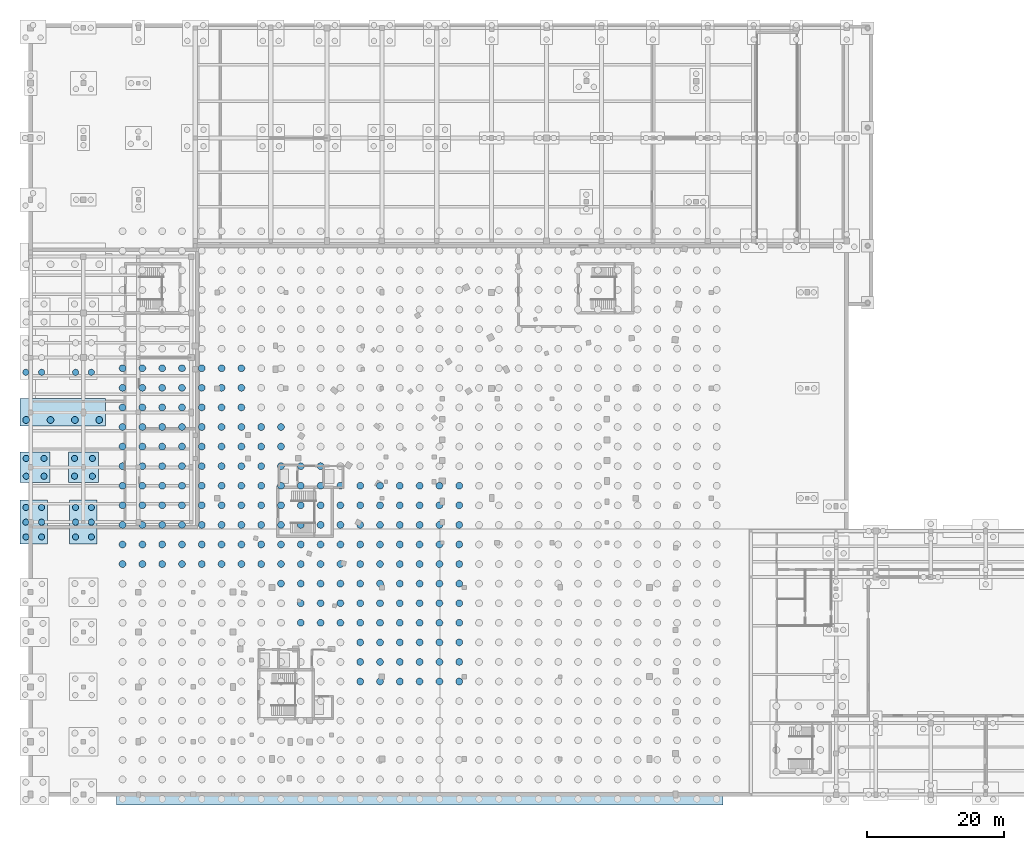
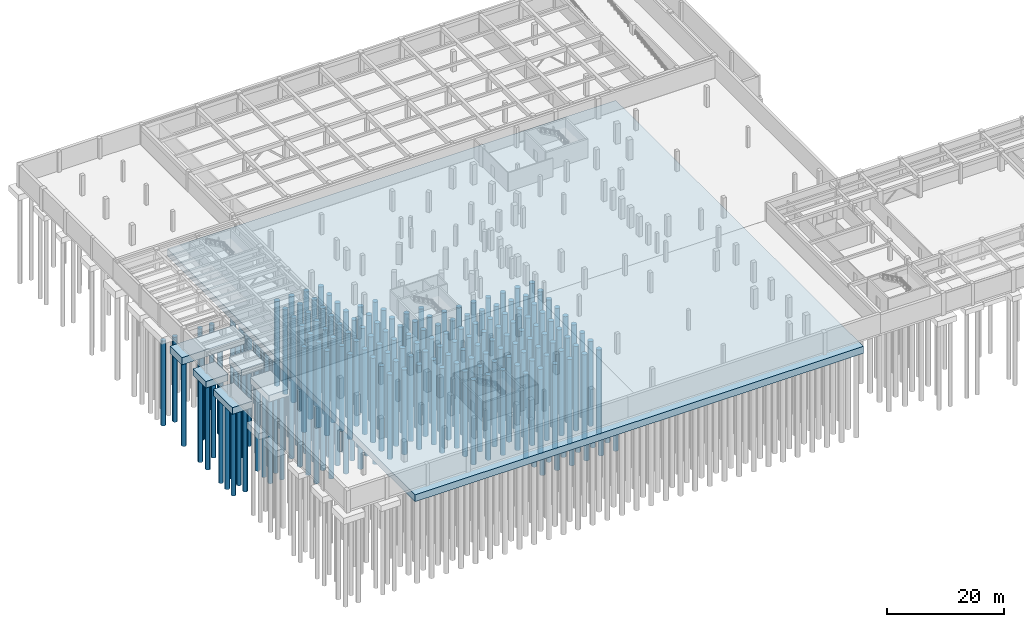
# One storey, part 2 of 36: 214 piles, 6 footings.
"""IFC4 building model written with IfcOpenShell, lengths in metres."""

from ifc_helpers import new_model, si_unit, direction, frame, origin, origin_2d, place, context, subcontext, project, spatial, rectangle, circle, extrude, material, material_profile, profile_set, type_object, element, save


model = new_model("IFC4")

# Units and contexts
model_context = context("Model", 3, precision=1e-05, world=origin(), true_north=direction((0.0, 1.0)))
body_context = subcontext(model_context, "Body", "Model", "MODEL_VIEW")
ifc_project = project(units=[si_unit("LENGTHUNIT", "METRE"), si_unit("AREAUNIT", "SQUARE_METRE"), si_unit("VOLUMEUNIT", "CUBIC_METRE"), si_unit("PLANEANGLEUNIT", "RADIAN"), si_unit("MASSUNIT", "GRAM", prefix="KILO"), si_unit("THERMODYNAMICTEMPERATUREUNIT", "KELVIN"), si_unit("POWERUNIT", "WATT")], contexts=[model_context])

# Site, building, storey
site_placement = place(None, origin())
site = spatial("IfcSite", under=ifc_project, at=site_placement, CompositionType="ELEMENT")
building_placement = place(site_placement, origin())
building = spatial("IfcBuilding", under=site, at=building_placement, Name="Solvatero Civic Police Headquarters", CompositionType="ELEMENT")
storey_placement = place(building_placement, frame((0.0, 0.0, -8.39990234375)))
storey = spatial("IfcBuildingStorey", under=building, at=storey_placement, Name="B02", CompositionType="ELEMENT", Elevation=-8.39990234375)

# Footings
ifc_material_1 = material(Name="Concrete C35/45", Category="concrete")
footing_type_1 = type_object("IfcFootingType", Name="PC-4P-440x440x135", PredefinedType="PILE_CAP", material=ifc_material_1)
for number, where, z_axis, x_axis, name in (
    (1, (5.449951171875, 52.5, -1.7900390625), (0.0, 0.0, 1.0), (1.0, 0.0, 0.0), "Pile Cap FTG-R2-V6-X1Y2"),
    (2, (12.5, 52.5, -1.7900390625), (0.0, 0.0, 1.0), (1.0, 0.0, 0.0), "Pile Cap FTG-R2-V6-X2Y2"),
):
    element("IfcFooting", number, at=place(storey_placement, frame(where, z_axis=z_axis, x_axis=x_axis)), inside=storey, type_object=footing_type_1, Name=name, PredefinedType="PILE_CAP", context=body_context, shape_type="SweptSolid", body=[
        extrude(rectangle(XDim=4.39990234375, YDim=4.39990234375, at=origin_2d()), origin(), (0.0, 0.0, 1.0), 1.35009765625),
    ])
footing_type_2 = type_object("IfcFootingType", Name="PC-6P-400x640x140", PredefinedType="PILE_CAP", material=ifc_material_1)
for number, where, z_axis, x_axis, name in (
    (3, (5.25, 44.5, -1.840087890625), (0.0, 0.0, 1.0), (1.0, 0.0, 0.0), "Pile Cap FTG-R2-V6-X1Y1"),
    (4, (12.5, 44.5, -1.840087890625), (0.0, 0.0, 1.0), (1.0, 0.0, 0.0), "Pile Cap FTG-R2-V6-X2Y1"),
):
    element("IfcFooting", number, at=place(storey_placement, frame(where, z_axis=z_axis, x_axis=x_axis)), inside=storey, type_object=footing_type_2, Name=name, PredefinedType="PILE_CAP", context=body_context, shape_type="SweptSolid", body=[
        extrude(rectangle(XDim=4.0, YDim=6.39990234375, at=origin_2d()), origin(), (0.0, 0.0, 1.0), 1.39990234375),
    ])
footing_type_3 = type_object("IfcFootingType", Name="PC-COMB-01", PredefinedType="PILE_CAP", material=ifc_material_1)
footing_1_placement = place(storey_placement, frame((61.5, 45.5322265625, -1.89013671875), z_axis=(0.0, 0.0, 1.0), x_axis=(1.0, 0.0, 0.0)))
element("IfcFooting", 5, at=footing_1_placement, inside=storey, type_object=footing_type_3, Name="Combined Pile Cap FTG-R2-CMB-ARC-S00-IN", PredefinedType="PILE_CAP", context=body_context, shape_type="SweptSolid", body=[
    extrude(rectangle(XDim=88.39990234375, YDim=84.56005859375, at=origin_2d()), origin(), (0.0, 0.0, 1.0), 1.449951171875),
])
footing_type_4 = type_object("IfcFootingType", Name="PC-COMB-04", PredefinedType="PILE_CAP", material=ifc_material_1)
footing_2_placement = place(storey_placement, frame((9.47509765625, 60.5, -1.9501953125), z_axis=(0.0, 0.0, 1.0), x_axis=(1.0, 0.0, 0.0)))
element("IfcFooting", 6, at=footing_2_placement, inside=storey, type_object=footing_type_4, Name="Combined Pile Cap FTG-R2-CMB-V6-X1Y3", PredefinedType="PILE_CAP", context=body_context, shape_type="SweptSolid", body=[
    extrude(rectangle(XDim=12.449951171875, YDim=4.0, at=origin_2d()), origin(), (0.0, 0.0, 1.0), 1.510009765625),
])

# Piles
ifc_material_2 = material(Name="Concrete C32/40", Category="concrete")
ifc_material_profile_1 = material_profile(ifc_material_2, circle(Radius=0.5, at=origin_2d()), Name="CFA PILE D1000")
ifc_profile_set_1 = profile_set([ifc_material_profile_1], Name="Concrete C32/40")
pile_type_1 = type_object("IfcPileType", Name="PL-CFA-1000", PredefinedType="BORED", material=ifc_profile_set_1)
for number, where, z_axis, x_axis, name in (
    (7, (18.199951171875, 38.397705078125, -1.7900390625), (0.0, 0.0, -1.0), (1.0, 0.0, 0.0), "Bored Pile ARC-S00-IN-13"),
    (8, (18.199951171875, 41.25146484375, -1.7900390625), (0.0, 0.0, -1.0), (1.0, 0.0, 0.0), "Bored Pile ARC-S00-IN-14"),
    (9, (18.199951171875, 44.105224609375, -1.7900390625), (0.0, 0.0, -1.0), (1.0, 0.0, 0.0), "Bored Pile ARC-S00-IN-15"),
    (10, (18.199951171875, 46.958984375, -1.7900390625), (0.0, 0.0, -1.0), (1.0, 0.0, 0.0), "Bored Pile ARC-S00-IN-16"),
    (11, (18.199951171875, 49.81298828125, -1.7900390625), (0.0, 0.0, -1.0), (1.0, 0.0, 0.0), "Bored Pile ARC-S00-IN-17"),
    (12, (18.199951171875, 52.666748046875, -1.7900390625), (0.0, 0.0, -1.0), (1.0, 0.0, 0.0), "Bored Pile ARC-S00-IN-18"),
    (13, (18.199951171875, 55.5205078125, -1.7900390625), (0.0, 0.0, -1.0), (1.0, 0.0, 0.0), "Bored Pile ARC-S00-IN-19"),
    (14, (18.199951171875, 58.374267578125, -1.7900390625), (0.0, 0.0, -1.0), (1.0, 0.0, 0.0), "Bored Pile ARC-S00-IN-20"),
    (15, (18.199951171875, 61.22802734375, -1.7900390625), (0.0, 0.0, -1.0), (1.0, 0.0, 0.0), "Bored Pile ARC-S00-IN-21"),
    (16, (18.199951171875, 64.081787109375, -1.7900390625), (0.0, 0.0, -1.0), (1.0, 0.0, 0.0), "Bored Pile ARC-S00-IN-22"),
    (17, (18.199951171875, 66.935546875, -1.7900390625), (0.0, 0.0, -1.0), (1.0, 0.0, 0.0), "Bored Pile ARC-S00-IN-23"),
    (18, (21.086669921875, 38.397705078125, -1.7900390625), (0.0, 0.0, -1.0), (1.0, 0.0, 0.0), "Bored Pile ARC-S00-IN-43"),
    (19, (21.086669921875, 41.25146484375, -1.7900390625), (0.0, 0.0, -1.0), (1.0, 0.0, 0.0), "Bored Pile ARC-S00-IN-44"),
    (20, (21.086669921875, 44.105224609375, -1.7900390625), (0.0, 0.0, -1.0), (1.0, 0.0, 0.0), "Bored Pile ARC-S00-IN-45"),
    (21, (21.086669921875, 46.958984375, -1.7900390625), (0.0, 0.0, -1.0), (1.0, 0.0, 0.0), "Bored Pile ARC-S00-IN-46"),
    (22, (21.086669921875, 49.81298828125, -1.7900390625), (0.0, 0.0, -1.0), (1.0, 0.0, 0.0), "Bored Pile ARC-S00-IN-47"),
    (23, (21.086669921875, 52.666748046875, -1.7900390625), (0.0, 0.0, -1.0), (1.0, 0.0, 0.0), "Bored Pile ARC-S00-IN-48"),
    (24, (21.086669921875, 55.5205078125, -1.7900390625), (0.0, 0.0, -1.0), (1.0, 0.0, 0.0), "Bored Pile ARC-S00-IN-49"),
    (25, (21.086669921875, 58.374267578125, -1.7900390625), (0.0, 0.0, -1.0), (1.0, 0.0, 0.0), "Bored Pile ARC-S00-IN-50"),
    (26, (21.086669921875, 61.22802734375, -1.7900390625), (0.0, 0.0, -1.0), (1.0, 0.0, 0.0), "Bored Pile ARC-S00-IN-51"),
    (27, (21.086669921875, 64.081787109375, -1.7900390625), (0.0, 0.0, -1.0), (1.0, 0.0, 0.0), "Bored Pile ARC-S00-IN-52"),
    (28, (21.086669921875, 66.935546875, -1.7900390625), (0.0, 0.0, -1.0), (1.0, 0.0, 0.0), "Bored Pile ARC-S00-IN-53"),
    (29, (23.973388671875, 38.397705078125, -1.7900390625), (0.0, 0.0, -1.0), (1.0, 0.0, 0.0), "Bored Pile ARC-S00-IN-73"),
    (30, (23.973388671875, 41.25146484375, -1.7900390625), (0.0, 0.0, -1.0), (1.0, 0.0, 0.0), "Bored Pile ARC-S00-IN-74"),
    (31, (23.973388671875, 44.105224609375, -1.7900390625), (0.0, 0.0, -1.0), (1.0, 0.0, 0.0), "Bored Pile ARC-S00-IN-75"),
    (32, (23.973388671875, 46.958984375, -1.7900390625), (0.0, 0.0, -1.0), (1.0, 0.0, 0.0), "Bored Pile ARC-S00-IN-76"),
    (33, (23.973388671875, 49.81298828125, -1.7900390625), (0.0, 0.0, -1.0), (1.0, 0.0, 0.0), "Bored Pile ARC-S00-IN-77"),
    (34, (23.973388671875, 52.666748046875, -1.7900390625), (0.0, 0.0, -1.0), (1.0, 0.0, 0.0), "Bored Pile ARC-S00-IN-78"),
    (35, (23.973388671875, 55.5205078125, -1.7900390625), (0.0, 0.0, -1.0), (1.0, 0.0, 0.0), "Bored Pile ARC-S00-IN-79"),
    (36, (23.973388671875, 58.374267578125, -1.7900390625), (0.0, 0.0, -1.0), (1.0, 0.0, 0.0), "Bored Pile ARC-S00-IN-80"),
    (37, (23.973388671875, 61.22802734375, -1.7900390625), (0.0, 0.0, -1.0), (1.0, 0.0, 0.0), "Bored Pile ARC-S00-IN-81"),
    (38, (23.973388671875, 64.081787109375, -1.7900390625), (0.0, 0.0, -1.0), (1.0, 0.0, 0.0), "Bored Pile ARC-S00-IN-82"),
    (39, (23.973388671875, 66.935546875, -1.7900390625), (0.0, 0.0, -1.0), (1.0, 0.0, 0.0), "Bored Pile ARC-S00-IN-83"),
    (40, (26.860107421875, 38.397705078125, -1.7900390625), (0.0, 0.0, -1.0), (1.0, 0.0, 0.0), "Bored Pile ARC-S00-IN-103"),
    (41, (26.860107421875, 41.25146484375, -1.7900390625), (0.0, 0.0, -1.0), (1.0, 0.0, 0.0), "Bored Pile ARC-S00-IN-104"),
    (42, (26.860107421875, 44.105224609375, -1.7900390625), (0.0, 0.0, -1.0), (1.0, 0.0, 0.0), "Bored Pile ARC-S00-IN-105"),
    (43, (26.860107421875, 46.958984375, -1.7900390625), (0.0, 0.0, -1.0), (1.0, 0.0, 0.0), "Bored Pile ARC-S00-IN-106"),
    (44, (26.860107421875, 49.81298828125, -1.7900390625), (0.0, 0.0, -1.0), (1.0, 0.0, 0.0), "Bored Pile ARC-S00-IN-107"),
    (45, (26.860107421875, 52.666748046875, -1.7900390625), (0.0, 0.0, -1.0), (1.0, 0.0, 0.0), "Bored Pile ARC-S00-IN-108"),
    (46, (26.860107421875, 55.5205078125, -1.7900390625), (0.0, 0.0, -1.0), (1.0, 0.0, 0.0), "Bored Pile ARC-S00-IN-109"),
    (47, (26.860107421875, 58.374267578125, -1.7900390625), (0.0, 0.0, -1.0), (1.0, 0.0, 0.0), "Bored Pile ARC-S00-IN-110"),
    (48, (26.860107421875, 61.22802734375, -1.7900390625), (0.0, 0.0, -1.0), (1.0, 0.0, 0.0), "Bored Pile ARC-S00-IN-111"),
    (49, (26.860107421875, 64.081787109375, -1.7900390625), (0.0, 0.0, -1.0), (1.0, 0.0, 0.0), "Bored Pile ARC-S00-IN-112"),
    (50, (26.860107421875, 66.935546875, -1.7900390625), (0.0, 0.0, -1.0), (1.0, 0.0, 0.0), "Bored Pile ARC-S00-IN-113"),
    (51, (29.74658203125, 38.397705078125, -1.7900390625), (0.0, 0.0, -1.0), (1.0, 0.0, 0.0), "Bored Pile ARC-S00-IN-133"),
    (52, (29.74658203125, 41.25146484375, -1.7900390625), (0.0, 0.0, -1.0), (1.0, 0.0, 0.0), "Bored Pile ARC-S00-IN-134"),
    (53, (29.74658203125, 44.105224609375, -1.7900390625), (0.0, 0.0, -1.0), (1.0, 0.0, 0.0), "Bored Pile ARC-S00-IN-135"),
    (54, (29.74658203125, 46.958984375, -1.7900390625), (0.0, 0.0, -1.0), (1.0, 0.0, 0.0), "Bored Pile ARC-S00-IN-136"),
    (55, (29.74658203125, 49.81298828125, -1.7900390625), (0.0, 0.0, -1.0), (1.0, 0.0, 0.0), "Bored Pile ARC-S00-IN-137"),
    (56, (29.74658203125, 52.666748046875, -1.7900390625), (0.0, 0.0, -1.0), (1.0, 0.0, 0.0), "Bored Pile ARC-S00-IN-138"),
    (57, (29.74658203125, 55.5205078125, -1.7900390625), (0.0, 0.0, -1.0), (1.0, 0.0, 0.0), "Bored Pile ARC-S00-IN-139"),
    (58, (29.74658203125, 58.374267578125, -1.7900390625), (0.0, 0.0, -1.0), (1.0, 0.0, 0.0), "Bored Pile ARC-S00-IN-140"),
    (59, (29.74658203125, 61.22802734375, -1.7900390625), (0.0, 0.0, -1.0), (1.0, 0.0, 0.0), "Bored Pile ARC-S00-IN-141"),
    (60, (29.74658203125, 64.081787109375, -1.7900390625), (0.0, 0.0, -1.0), (1.0, 0.0, 0.0), "Bored Pile ARC-S00-IN-142"),
    (61, (29.74658203125, 66.935546875, -1.7900390625), (0.0, 0.0, -1.0), (1.0, 0.0, 0.0), "Bored Pile ARC-S00-IN-143"),
    (62, (32.63330078125, 38.397705078125, -1.7900390625), (0.0, 0.0, -1.0), (1.0, 0.0, 0.0), "Bored Pile ARC-S00-IN-163"),
    (63, (32.63330078125, 41.25146484375, -1.7900390625), (0.0, 0.0, -1.0), (1.0, 0.0, 0.0), "Bored Pile ARC-S00-IN-164"),
    (64, (32.63330078125, 44.105224609375, -1.7900390625), (0.0, 0.0, -1.0), (1.0, 0.0, 0.0), "Bored Pile ARC-S00-IN-165"),
    (65, (32.63330078125, 46.958984375, -1.7900390625), (0.0, 0.0, -1.0), (1.0, 0.0, 0.0), "Bored Pile ARC-S00-IN-166"),
    (66, (32.63330078125, 49.81298828125, -1.7900390625), (0.0, 0.0, -1.0), (1.0, 0.0, 0.0), "Bored Pile ARC-S00-IN-167"),
    (67, (32.63330078125, 52.666748046875, -1.7900390625), (0.0, 0.0, -1.0), (1.0, 0.0, 0.0), "Bored Pile ARC-S00-IN-168"),
    (68, (32.63330078125, 55.5205078125, -1.7900390625), (0.0, 0.0, -1.0), (1.0, 0.0, 0.0), "Bored Pile ARC-S00-IN-169"),
    (69, (32.63330078125, 58.374267578125, -1.7900390625), (0.0, 0.0, -1.0), (1.0, 0.0, 0.0), "Bored Pile ARC-S00-IN-170"),
    (70, (32.63330078125, 61.22802734375, -1.7900390625), (0.0, 0.0, -1.0), (1.0, 0.0, 0.0), "Bored Pile ARC-S00-IN-171"),
    (71, (32.63330078125, 64.081787109375, -1.7900390625), (0.0, 0.0, -1.0), (1.0, 0.0, 0.0), "Bored Pile ARC-S00-IN-172"),
    (72, (32.63330078125, 66.935546875, -1.7900390625), (0.0, 0.0, -1.0), (1.0, 0.0, 0.0), "Bored Pile ARC-S00-IN-173"),
    (73, (35.52001953125, 38.397705078125, -1.7900390625), (0.0, 0.0, -1.0), (1.0, 0.0, 0.0), "Bored Pile ARC-S00-IN-193"),
    (74, (35.52001953125, 41.25146484375, -1.7900390625), (0.0, 0.0, -1.0), (1.0, 0.0, 0.0), "Bored Pile ARC-S00-IN-194"),
    (75, (35.52001953125, 44.105224609375, -1.7900390625), (0.0, 0.0, -1.0), (1.0, 0.0, 0.0), "Bored Pile ARC-S00-IN-195"),
    (76, (35.52001953125, 46.958984375, -1.7900390625), (0.0, 0.0, -1.0), (1.0, 0.0, 0.0), "Bored Pile ARC-S00-IN-196"),
    (77, (35.52001953125, 49.81298828125, -1.7900390625), (0.0, 0.0, -1.0), (1.0, 0.0, 0.0), "Bored Pile ARC-S00-IN-197"),
    (78, (35.52001953125, 52.666748046875, -1.7900390625), (0.0, 0.0, -1.0), (1.0, 0.0, 0.0), "Bored Pile ARC-S00-IN-198"),
    (79, (35.52001953125, 55.5205078125, -1.7900390625), (0.0, 0.0, -1.0), (1.0, 0.0, 0.0), "Bored Pile ARC-S00-IN-199"),
    (80, (35.52001953125, 58.374267578125, -1.7900390625), (0.0, 0.0, -1.0), (1.0, 0.0, 0.0), "Bored Pile ARC-S00-IN-200"),
    (81, (35.52001953125, 61.22802734375, -1.7900390625), (0.0, 0.0, -1.0), (1.0, 0.0, 0.0), "Bored Pile ARC-S00-IN-201"),
    (82, (35.52001953125, 64.081787109375, -1.7900390625), (0.0, 0.0, -1.0), (1.0, 0.0, 0.0), "Bored Pile ARC-S00-IN-202"),
    (83, (35.52001953125, 66.935546875, -1.7900390625), (0.0, 0.0, -1.0), (1.0, 0.0, 0.0), "Bored Pile ARC-S00-IN-203"),
    (84, (38.40673828125, 38.397705078125, -1.7900390625), (0.0, 0.0, -1.0), (1.0, 0.0, 0.0), "Bored Pile ARC-S00-IN-223"),
    (85, (38.40673828125, 41.25146484375, -1.7900390625), (0.0, 0.0, -1.0), (1.0, 0.0, 0.0), "Bored Pile ARC-S00-IN-224"),
    (86, (38.40673828125, 44.105224609375, -1.7900390625), (0.0, 0.0, -1.0), (1.0, 0.0, 0.0), "Bored Pile ARC-S00-IN-225"),
    (87, (38.40673828125, 46.958984375, -1.7900390625), (0.0, 0.0, -1.0), (1.0, 0.0, 0.0), "Bored Pile ARC-S00-IN-226"),
    (88, (38.40673828125, 49.81298828125, -1.7900390625), (0.0, 0.0, -1.0), (1.0, 0.0, 0.0), "Bored Pile ARC-S00-IN-227"),
    (89, (38.40673828125, 52.666748046875, -1.7900390625), (0.0, 0.0, -1.0), (1.0, 0.0, 0.0), "Bored Pile ARC-S00-IN-228"),
    (90, (38.40673828125, 55.5205078125, -1.7900390625), (0.0, 0.0, -1.0), (1.0, 0.0, 0.0), "Bored Pile ARC-S00-IN-229"),
    (91, (38.40673828125, 58.374267578125, -1.7900390625), (0.0, 0.0, -1.0), (1.0, 0.0, 0.0), "Bored Pile ARC-S00-IN-230"),
    (92, (41.293212890625, 35.5439453125, -1.7900390625), (0.0, 0.0, -1.0), (1.0, 0.0, 0.0), "Bored Pile ARC-S00-IN-252"),
    (93, (41.293212890625, 38.397705078125, -1.7900390625), (0.0, 0.0, -1.0), (1.0, 0.0, 0.0), "Bored Pile ARC-S00-IN-253"),
    (94, (41.293212890625, 41.25146484375, -1.7900390625), (0.0, 0.0, -1.0), (1.0, 0.0, 0.0), "Bored Pile ARC-S00-IN-254"),
    (95, (41.293212890625, 44.105224609375, -1.7900390625), (0.0, 0.0, -1.0), (1.0, 0.0, 0.0), "Bored Pile ARC-S00-IN-255"),
    (96, (41.293212890625, 46.958984375, -1.7900390625), (0.0, 0.0, -1.0), (1.0, 0.0, 0.0), "Bored Pile ARC-S00-IN-256"),
    (97, (41.293212890625, 49.81298828125, -1.7900390625), (0.0, 0.0, -1.0), (1.0, 0.0, 0.0), "Bored Pile ARC-S00-IN-257"),
    (98, (41.293212890625, 52.666748046875, -1.7900390625), (0.0, 0.0, -1.0), (1.0, 0.0, 0.0), "Bored Pile ARC-S00-IN-258"),
    (99, (41.293212890625, 55.5205078125, -1.7900390625), (0.0, 0.0, -1.0), (1.0, 0.0, 0.0), "Bored Pile ARC-S00-IN-259"),
    (100, (41.293212890625, 58.374267578125, -1.7900390625), (0.0, 0.0, -1.0), (1.0, 0.0, 0.0), "Bored Pile ARC-S00-IN-260"),
    (101, (44.179931640625, 29.836181640625, -1.7900390625), (0.0, 0.0, -1.0), (1.0, 0.0, 0.0), "Bored Pile ARC-S00-IN-280"),
    (102, (44.179931640625, 32.690185546875, -1.7900390625), (0.0, 0.0, -1.0), (1.0, 0.0, 0.0), "Bored Pile ARC-S00-IN-281"),
    (103, (44.179931640625, 35.5439453125, -1.7900390625), (0.0, 0.0, -1.0), (1.0, 0.0, 0.0), "Bored Pile ARC-S00-IN-282"),
    (104, (44.179931640625, 38.397705078125, -1.7900390625), (0.0, 0.0, -1.0), (1.0, 0.0, 0.0), "Bored Pile ARC-S00-IN-283"),
    (105, (44.179931640625, 41.25146484375, -1.7900390625), (0.0, 0.0, -1.0), (1.0, 0.0, 0.0), "Bored Pile ARC-S00-IN-284"),
    (106, (44.179931640625, 44.105224609375, -1.7900390625), (0.0, 0.0, -1.0), (1.0, 0.0, 0.0), "Bored Pile ARC-S00-IN-285"),
    (107, (44.179931640625, 46.958984375, -1.7900390625), (0.0, 0.0, -1.0), (1.0, 0.0, 0.0), "Bored Pile ARC-S00-IN-286"),
    (108, (44.179931640625, 49.81298828125, -1.7900390625), (0.0, 0.0, -1.0), (1.0, 0.0, 0.0), "Bored Pile ARC-S00-IN-287"),
    (109, (44.179931640625, 52.666748046875, -1.7900390625), (0.0, 0.0, -1.0), (1.0, 0.0, 0.0), "Bored Pile ARC-S00-IN-288"),
    (110, (47.066650390625, 29.836181640625, -1.7900390625), (0.0, 0.0, -1.0), (1.0, 0.0, 0.0), "Bored Pile ARC-S00-IN-310"),
    (111, (47.066650390625, 32.690185546875, -1.7900390625), (0.0, 0.0, -1.0), (1.0, 0.0, 0.0), "Bored Pile ARC-S00-IN-311"),
    (112, (47.066650390625, 35.5439453125, -1.7900390625), (0.0, 0.0, -1.0), (1.0, 0.0, 0.0), "Bored Pile ARC-S00-IN-312"),
    (113, (47.066650390625, 38.397705078125, -1.7900390625), (0.0, 0.0, -1.0), (1.0, 0.0, 0.0), "Bored Pile ARC-S00-IN-313"),
    (114, (47.066650390625, 41.25146484375, -1.7900390625), (0.0, 0.0, -1.0), (1.0, 0.0, 0.0), "Bored Pile ARC-S00-IN-314"),
    (115, (47.066650390625, 44.105224609375, -1.7900390625), (0.0, 0.0, -1.0), (1.0, 0.0, 0.0), "Bored Pile ARC-S00-IN-315"),
    (116, (47.066650390625, 46.958984375, -1.7900390625), (0.0, 0.0, -1.0), (1.0, 0.0, 0.0), "Bored Pile ARC-S00-IN-316"),
    (117, (47.066650390625, 49.81298828125, -1.7900390625), (0.0, 0.0, -1.0), (1.0, 0.0, 0.0), "Bored Pile ARC-S00-IN-317"),
    (118, (47.066650390625, 52.666748046875, -1.7900390625), (0.0, 0.0, -1.0), (1.0, 0.0, 0.0), "Bored Pile ARC-S00-IN-318"),
    (119, (49.953369140625, 29.836181640625, -1.7900390625), (0.0, 0.0, -1.0), (1.0, 0.0, 0.0), "Bored Pile ARC-S00-IN-340"),
    (120, (49.953369140625, 32.690185546875, -1.7900390625), (0.0, 0.0, -1.0), (1.0, 0.0, 0.0), "Bored Pile ARC-S00-IN-341"),
    (121, (49.953369140625, 35.5439453125, -1.7900390625), (0.0, 0.0, -1.0), (1.0, 0.0, 0.0), "Bored Pile ARC-S00-IN-342"),
    (122, (49.953369140625, 38.397705078125, -1.7900390625), (0.0, 0.0, -1.0), (1.0, 0.0, 0.0), "Bored Pile ARC-S00-IN-343"),
    (123, (49.953369140625, 41.25146484375, -1.7900390625), (0.0, 0.0, -1.0), (1.0, 0.0, 0.0), "Bored Pile ARC-S00-IN-344"),
    (124, (49.953369140625, 44.105224609375, -1.7900390625), (0.0, 0.0, -1.0), (1.0, 0.0, 0.0), "Bored Pile ARC-S00-IN-345"),
    (125, (49.953369140625, 46.958984375, -1.7900390625), (0.0, 0.0, -1.0), (1.0, 0.0, 0.0), "Bored Pile ARC-S00-IN-346"),
    (126, (49.953369140625, 49.81298828125, -1.7900390625), (0.0, 0.0, -1.0), (1.0, 0.0, 0.0), "Bored Pile ARC-S00-IN-347"),
    (127, (52.840087890625, 21.27490234375, -1.7900390625), (0.0, 0.0, -1.0), (1.0, 0.0, 0.0), "Bored Pile ARC-S00-IN-367"),
    (128, (52.840087890625, 24.12890625, -1.7900390625), (0.0, 0.0, -1.0), (1.0, 0.0, 0.0), "Bored Pile ARC-S00-IN-368"),
    (129, (52.840087890625, 26.982421875, -1.7900390625), (0.0, 0.0, -1.0), (1.0, 0.0, 0.0), "Bored Pile ARC-S00-IN-369"),
    (130, (52.840087890625, 29.836181640625, -1.7900390625), (0.0, 0.0, -1.0), (1.0, 0.0, 0.0), "Bored Pile ARC-S00-IN-370"),
    (131, (52.840087890625, 32.690185546875, -1.7900390625), (0.0, 0.0, -1.0), (1.0, 0.0, 0.0), "Bored Pile ARC-S00-IN-371"),
    (132, (52.840087890625, 35.5439453125, -1.7900390625), (0.0, 0.0, -1.0), (1.0, 0.0, 0.0), "Bored Pile ARC-S00-IN-372"),
    (133, (52.840087890625, 38.397705078125, -1.7900390625), (0.0, 0.0, -1.0), (1.0, 0.0, 0.0), "Bored Pile ARC-S00-IN-373"),
    (134, (52.840087890625, 41.25146484375, -1.7900390625), (0.0, 0.0, -1.0), (1.0, 0.0, 0.0), "Bored Pile ARC-S00-IN-374"),
    (135, (52.840087890625, 44.105224609375, -1.7900390625), (0.0, 0.0, -1.0), (1.0, 0.0, 0.0), "Bored Pile ARC-S00-IN-375"),
    (136, (52.840087890625, 46.958984375, -1.7900390625), (0.0, 0.0, -1.0), (1.0, 0.0, 0.0), "Bored Pile ARC-S00-IN-376"),
    (137, (52.840087890625, 49.81298828125, -1.7900390625), (0.0, 0.0, -1.0), (1.0, 0.0, 0.0), "Bored Pile ARC-S00-IN-377"),
    (138, (55.726806640625, 21.27490234375, -1.7900390625), (0.0, 0.0, -1.0), (1.0, 0.0, 0.0), "Bored Pile ARC-S00-IN-397"),
    (139, (55.726806640625, 24.12890625, -1.7900390625), (0.0, 0.0, -1.0), (1.0, 0.0, 0.0), "Bored Pile ARC-S00-IN-398"),
    (140, (55.726806640625, 26.982421875, -1.7900390625), (0.0, 0.0, -1.0), (1.0, 0.0, 0.0), "Bored Pile ARC-S00-IN-399"),
    (141, (55.726806640625, 29.836181640625, -1.7900390625), (0.0, 0.0, -1.0), (1.0, 0.0, 0.0), "Bored Pile ARC-S00-IN-400"),
    (142, (55.726806640625, 32.690185546875, -1.7900390625), (0.0, 0.0, -1.0), (1.0, 0.0, 0.0), "Bored Pile ARC-S00-IN-401"),
    (143, (55.726806640625, 35.5439453125, -1.7900390625), (0.0, 0.0, -1.0), (1.0, 0.0, 0.0), "Bored Pile ARC-S00-IN-402"),
    (144, (55.726806640625, 38.397705078125, -1.7900390625), (0.0, 0.0, -1.0), (1.0, 0.0, 0.0), "Bored Pile ARC-S00-IN-403"),
    (145, (55.726806640625, 41.25146484375, -1.7900390625), (0.0, 0.0, -1.0), (1.0, 0.0, 0.0), "Bored Pile ARC-S00-IN-404"),
    (146, (55.726806640625, 44.105224609375, -1.7900390625), (0.0, 0.0, -1.0), (1.0, 0.0, 0.0), "Bored Pile ARC-S00-IN-405"),
    (147, (55.726806640625, 46.958984375, -1.7900390625), (0.0, 0.0, -1.0), (1.0, 0.0, 0.0), "Bored Pile ARC-S00-IN-406"),
    (148, (55.726806640625, 49.81298828125, -1.7900390625), (0.0, 0.0, -1.0), (1.0, 0.0, 0.0), "Bored Pile ARC-S00-IN-407"),
    (149, (58.61328125, 21.27490234375, -1.7900390625), (0.0, 0.0, -1.0), (1.0, 0.0, 0.0), "Bored Pile ARC-S00-IN-427"),
    (150, (58.61328125, 24.12890625, -1.7900390625), (0.0, 0.0, -1.0), (1.0, 0.0, 0.0), "Bored Pile ARC-S00-IN-428"),
    (151, (58.61328125, 26.982421875, -1.7900390625), (0.0, 0.0, -1.0), (1.0, 0.0, 0.0), "Bored Pile ARC-S00-IN-429"),
    (152, (58.61328125, 29.836181640625, -1.7900390625), (0.0, 0.0, -1.0), (1.0, 0.0, 0.0), "Bored Pile ARC-S00-IN-430"),
    (153, (58.61328125, 32.690185546875, -1.7900390625), (0.0, 0.0, -1.0), (1.0, 0.0, 0.0), "Bored Pile ARC-S00-IN-431"),
    (154, (58.61328125, 35.5439453125, -1.7900390625), (0.0, 0.0, -1.0), (1.0, 0.0, 0.0), "Bored Pile ARC-S00-IN-432"),
    (155, (58.61328125, 38.397705078125, -1.7900390625), (0.0, 0.0, -1.0), (1.0, 0.0, 0.0), "Bored Pile ARC-S00-IN-433"),
    (156, (58.61328125, 41.25146484375, -1.7900390625), (0.0, 0.0, -1.0), (1.0, 0.0, 0.0), "Bored Pile ARC-S00-IN-434"),
    (157, (58.61328125, 44.105224609375, -1.7900390625), (0.0, 0.0, -1.0), (1.0, 0.0, 0.0), "Bored Pile ARC-S00-IN-435"),
    (158, (58.61328125, 46.958984375, -1.7900390625), (0.0, 0.0, -1.0), (1.0, 0.0, 0.0), "Bored Pile ARC-S00-IN-436"),
    (159, (58.61328125, 49.81298828125, -1.7900390625), (0.0, 0.0, -1.0), (1.0, 0.0, 0.0), "Bored Pile ARC-S00-IN-437"),
    (160, (61.5, 21.27490234375, -1.7900390625), (0.0, 0.0, -1.0), (1.0, 0.0, 0.0), "Bored Pile ARC-S00-IN-457"),
    (161, (61.5, 24.12890625, -1.7900390625), (0.0, 0.0, -1.0), (1.0, 0.0, 0.0), "Bored Pile ARC-S00-IN-458"),
    (162, (61.5, 26.982421875, -1.7900390625), (0.0, 0.0, -1.0), (1.0, 0.0, 0.0), "Bored Pile ARC-S00-IN-459"),
    (163, (61.5, 29.836181640625, -1.7900390625), (0.0, 0.0, -1.0), (1.0, 0.0, 0.0), "Bored Pile ARC-S00-IN-460"),
    (164, (61.5, 32.690185546875, -1.7900390625), (0.0, 0.0, -1.0), (1.0, 0.0, 0.0), "Bored Pile ARC-S00-IN-461"),
    (165, (61.5, 35.5439453125, -1.7900390625), (0.0, 0.0, -1.0), (1.0, 0.0, 0.0), "Bored Pile ARC-S00-IN-462"),
    (166, (61.5, 38.397705078125, -1.7900390625), (0.0, 0.0, -1.0), (1.0, 0.0, 0.0), "Bored Pile ARC-S00-IN-463"),
    (167, (61.5, 41.25146484375, -1.7900390625), (0.0, 0.0, -1.0), (1.0, 0.0, 0.0), "Bored Pile ARC-S00-IN-464"),
    (168, (61.5, 44.105224609375, -1.7900390625), (0.0, 0.0, -1.0), (1.0, 0.0, 0.0), "Bored Pile ARC-S00-IN-465"),
    (169, (61.5, 46.958984375, -1.7900390625), (0.0, 0.0, -1.0), (1.0, 0.0, 0.0), "Bored Pile ARC-S00-IN-466"),
    (170, (61.5, 49.81298828125, -1.7900390625), (0.0, 0.0, -1.0), (1.0, 0.0, 0.0), "Bored Pile ARC-S00-IN-467"),
    (171, (64.38671875, 21.27490234375, -1.7900390625), (0.0, 0.0, -1.0), (1.0, 0.0, 0.0), "Bored Pile ARC-S00-IN-487"),
    (172, (64.38671875, 24.12890625, -1.7900390625), (0.0, 0.0, -1.0), (1.0, 0.0, 0.0), "Bored Pile ARC-S00-IN-488"),
    (173, (64.38671875, 26.982421875, -1.7900390625), (0.0, 0.0, -1.0), (1.0, 0.0, 0.0), "Bored Pile ARC-S00-IN-489"),
    (174, (64.38671875, 29.836181640625, -1.7900390625), (0.0, 0.0, -1.0), (1.0, 0.0, 0.0), "Bored Pile ARC-S00-IN-490"),
    (175, (64.38671875, 32.690185546875, -1.7900390625), (0.0, 0.0, -1.0), (1.0, 0.0, 0.0), "Bored Pile ARC-S00-IN-491"),
    (176, (64.38671875, 35.5439453125, -1.7900390625), (0.0, 0.0, -1.0), (1.0, 0.0, 0.0), "Bored Pile ARC-S00-IN-492"),
    (177, (64.38671875, 38.397705078125, -1.7900390625), (0.0, 0.0, -1.0), (1.0, 0.0, 0.0), "Bored Pile ARC-S00-IN-493"),
    (178, (64.38671875, 41.25146484375, -1.7900390625), (0.0, 0.0, -1.0), (1.0, 0.0, 0.0), "Bored Pile ARC-S00-IN-494"),
    (179, (64.38671875, 44.105224609375, -1.7900390625), (0.0, 0.0, -1.0), (1.0, 0.0, 0.0), "Bored Pile ARC-S00-IN-495"),
    (180, (64.38671875, 46.958984375, -1.7900390625), (0.0, 0.0, -1.0), (1.0, 0.0, 0.0), "Bored Pile ARC-S00-IN-496"),
    (181, (64.38671875, 49.81298828125, -1.7900390625), (0.0, 0.0, -1.0), (1.0, 0.0, 0.0), "Bored Pile ARC-S00-IN-497"),
    (182, (67.273193359375, 21.27490234375, -1.7900390625), (0.0, 0.0, -1.0), (1.0, 0.0, 0.0), "Bored Pile ARC-S00-IN-517"),
    (183, (67.273193359375, 24.12890625, -1.7900390625), (0.0, 0.0, -1.0), (1.0, 0.0, 0.0), "Bored Pile ARC-S00-IN-518"),
    (184, (67.273193359375, 26.982421875, -1.7900390625), (0.0, 0.0, -1.0), (1.0, 0.0, 0.0), "Bored Pile ARC-S00-IN-519"),
    (185, (67.273193359375, 29.836181640625, -1.7900390625), (0.0, 0.0, -1.0), (1.0, 0.0, 0.0), "Bored Pile ARC-S00-IN-520"),
    (186, (67.273193359375, 32.690185546875, -1.7900390625), (0.0, 0.0, -1.0), (1.0, 0.0, 0.0), "Bored Pile ARC-S00-IN-521"),
    (187, (67.273193359375, 35.5439453125, -1.7900390625), (0.0, 0.0, -1.0), (1.0, 0.0, 0.0), "Bored Pile ARC-S00-IN-522"),
    (188, (67.273193359375, 38.397705078125, -1.7900390625), (0.0, 0.0, -1.0), (1.0, 0.0, 0.0), "Bored Pile ARC-S00-IN-523"),
    (189, (67.273193359375, 41.25146484375, -1.7900390625), (0.0, 0.0, -1.0), (1.0, 0.0, 0.0), "Bored Pile ARC-S00-IN-524"),
    (190, (67.273193359375, 44.105224609375, -1.7900390625), (0.0, 0.0, -1.0), (1.0, 0.0, 0.0), "Bored Pile ARC-S00-IN-525"),
    (191, (67.273193359375, 46.958984375, -1.7900390625), (0.0, 0.0, -1.0), (1.0, 0.0, 0.0), "Bored Pile ARC-S00-IN-526"),
    (192, (67.273193359375, 49.81298828125, -1.7900390625), (0.0, 0.0, -1.0), (1.0, 0.0, 0.0), "Bored Pile ARC-S00-IN-527"),
):
    element("IfcPile", number, at=place(storey_placement, frame(where, z_axis=z_axis, x_axis=x_axis)), inside=storey, type_object=pile_type_1, Name=name, PredefinedType="BORED", context=body_context, shape_type="SweptSolid", body=[
        extrude(circle(Radius=0.5, at=origin_2d()), origin(), (0.0, 0.0, 1.0), 17.659912109375),
    ])
for number, where, z_axis, x_axis, name in (
    (193, (4.14990234375, 59.39990234375, -1.85009765625), (0.0, 0.0, -1.0), (1.0, 0.0, 0.0), "Bored Pile V6-X1Y3-1"),
    (194, (7.699951171875, 59.39990234375, -1.85009765625), (0.0, 0.0, -1.0), (1.0, 0.0, 0.0), "Bored Pile V6-X1Y3-2"),
    (195, (11.25, 59.39990234375, -1.85009765625), (0.0, 0.0, -1.0), (1.0, 0.0, 0.0), "Bored Pile V6-X1Y3-3"),
    (196, (14.800048828125, 59.39990234375, -1.85009765625), (0.0, 0.0, -1.0), (1.0, 0.0, 0.0), "Bored Pile V6-X1Y3-4"),
):
    element("IfcPile", number, at=place(storey_placement, frame(where, z_axis=z_axis, x_axis=x_axis)), inside=storey, type_object=pile_type_1, Name=name, PredefinedType="BORED", context=body_context, shape_type="SweptSolid", body=[
        extrude(circle(Radius=0.5, at=origin_2d()), origin(), (0.0, 0.0, 1.0), 17.60009765625),
    ])
ifc_material_profile_2 = material_profile(ifc_material_2, circle(Radius=0.449951171875, at=origin_2d()), Name="CFA PILE D900")
ifc_profile_set_2 = profile_set([ifc_material_profile_2], Name="Concrete C32/40")
pile_type_2 = type_object("IfcPileType", Name="PL-CFA-900", PredefinedType="BORED", material=ifc_profile_set_2)
for number, where, z_axis, x_axis, name in (
    (197, (4.10009765625, 42.35009765625, -1.739990234375), (0.0, 0.0, -1.0), (1.0, 0.0, 0.0), "Bored Pile V6-X1Y1-1"),
    (198, (4.10009765625, 44.5, -1.739990234375), (0.0, 0.0, -1.0), (1.0, 0.0, 0.0), "Bored Pile V6-X1Y1-2"),
    (199, (4.10009765625, 46.64990234375, -1.739990234375), (0.0, 0.0, -1.0), (1.0, 0.0, 0.0), "Bored Pile V6-X1Y1-3"),
    (200, (6.39990234375, 42.35009765625, -1.739990234375), (0.0, 0.0, -1.0), (1.0, 0.0, 0.0), "Bored Pile V6-X1Y1-4"),
    (201, (6.39990234375, 44.5, -1.739990234375), (0.0, 0.0, -1.0), (1.0, 0.0, 0.0), "Bored Pile V6-X1Y1-5"),
    (202, (6.39990234375, 46.64990234375, -1.739990234375), (0.0, 0.0, -1.0), (1.0, 0.0, 0.0), "Bored Pile V6-X1Y1-6"),
):
    element("IfcPile", number, at=place(storey_placement, frame(where, z_axis=z_axis, x_axis=x_axis)), inside=storey, type_object=pile_type_2, Name=name, PredefinedType="BORED", context=body_context, shape_type="SweptSolid", body=[
        extrude(circle(Radius=0.449951171875, at=origin_2d()), origin(), (0.0, 0.0, 1.0), 17.7099609375),
    ])
for number, where, z_axis, x_axis, name in (
    (203, (4.14990234375, 51.199951171875, -1.690185546875), (0.0, 0.0, -1.0), (1.0, 0.0, 0.0), "Bored Pile V6-X1Y2-1"),
    (204, (6.75, 51.199951171875, -1.690185546875), (0.0, 0.0, -1.0), (1.0, 0.0, 0.0), "Bored Pile V6-X1Y2-2"),
    (205, (4.14990234375, 53.800048828125, -1.690185546875), (0.0, 0.0, -1.0), (1.0, 0.0, 0.0), "Bored Pile V6-X1Y2-3"),
    (206, (6.75, 53.800048828125, -1.690185546875), (0.0, 0.0, -1.0), (1.0, 0.0, 0.0), "Bored Pile V6-X1Y2-4"),
):
    element("IfcPile", number, at=place(storey_placement, frame(where, z_axis=z_axis, x_axis=x_axis)), inside=storey, type_object=pile_type_2, Name=name, PredefinedType="BORED", context=body_context, shape_type="SweptSolid", body=[
        extrude(circle(Radius=0.449951171875, at=origin_2d()), origin(), (0.0, 0.0, 1.0), 17.760009765625),
    ])
for number, where, z_axis, x_axis, name in (
    (207, (4.10009765625, 66.35009765625, -1.739990234375), (0.0, 0.0, -1.0), (1.0, 0.0, 0.0), "Bored Pile V6-X1Y4-1"),
    (208, (6.39990234375, 66.35009765625, -1.739990234375), (0.0, 0.0, -1.0), (1.0, 0.0, 0.0), "Bored Pile V6-X1Y4-4"),
    (209, (11.35009765625, 42.35009765625, -1.739990234375), (0.0, 0.0, -1.0), (1.0, 0.0, 0.0), "Bored Pile V6-X2Y1-1"),
    (210, (11.35009765625, 44.5, -1.739990234375), (0.0, 0.0, -1.0), (1.0, 0.0, 0.0), "Bored Pile V6-X2Y1-2"),
    (211, (11.35009765625, 46.64990234375, -1.739990234375), (0.0, 0.0, -1.0), (1.0, 0.0, 0.0), "Bored Pile V6-X2Y1-3"),
    (212, (13.64990234375, 42.35009765625, -1.739990234375), (0.0, 0.0, -1.0), (1.0, 0.0, 0.0), "Bored Pile V6-X2Y1-4"),
    (213, (13.64990234375, 44.5, -1.739990234375), (0.0, 0.0, -1.0), (1.0, 0.0, 0.0), "Bored Pile V6-X2Y1-5"),
    (214, (13.64990234375, 46.64990234375, -1.739990234375), (0.0, 0.0, -1.0), (1.0, 0.0, 0.0), "Bored Pile V6-X2Y1-6"),
):
    element("IfcPile", number, at=place(storey_placement, frame(where, z_axis=z_axis, x_axis=x_axis)), inside=storey, type_object=pile_type_2, Name=name, PredefinedType="BORED", context=body_context, shape_type="SweptSolid", body=[
        extrude(circle(Radius=0.449951171875, at=origin_2d()), origin(), (0.0, 0.0, 1.0), 17.7099609375),
    ])
for number, where, z_axis, x_axis, name in (
    (215, (11.199951171875, 51.199951171875, -1.690185546875), (0.0, 0.0, -1.0), (1.0, 0.0, 0.0), "Bored Pile V6-X2Y2-1"),
    (216, (13.800048828125, 51.199951171875, -1.690185546875), (0.0, 0.0, -1.0), (1.0, 0.0, 0.0), "Bored Pile V6-X2Y2-2"),
    (217, (11.199951171875, 53.800048828125, -1.690185546875), (0.0, 0.0, -1.0), (1.0, 0.0, 0.0), "Bored Pile V6-X2Y2-3"),
    (218, (13.800048828125, 53.800048828125, -1.690185546875), (0.0, 0.0, -1.0), (1.0, 0.0, 0.0), "Bored Pile V6-X2Y2-4"),
):
    element("IfcPile", number, at=place(storey_placement, frame(where, z_axis=z_axis, x_axis=x_axis)), inside=storey, type_object=pile_type_2, Name=name, PredefinedType="BORED", context=body_context, shape_type="SweptSolid", body=[
        extrude(circle(Radius=0.449951171875, at=origin_2d()), origin(), (0.0, 0.0, 1.0), 17.760009765625),
    ])
for number, where, z_axis, x_axis, name in (
    (219, (11.35009765625, 66.35009765625, -1.739990234375), (0.0, 0.0, -1.0), (1.0, 0.0, 0.0), "Bored Pile V6-X2Y4-1"),
    (220, (13.64990234375, 66.35009765625, -1.739990234375), (0.0, 0.0, -1.0), (1.0, 0.0, 0.0), "Bored Pile V6-X2Y4-4"),
):
    element("IfcPile", number, at=place(storey_placement, frame(where, z_axis=z_axis, x_axis=x_axis)), inside=storey, type_object=pile_type_2, Name=name, PredefinedType="BORED", context=body_context, shape_type="SweptSolid", body=[
        extrude(circle(Radius=0.449951171875, at=origin_2d()), origin(), (0.0, 0.0, 1.0), 17.7099609375),
    ])

save(model, "model.ifc")
